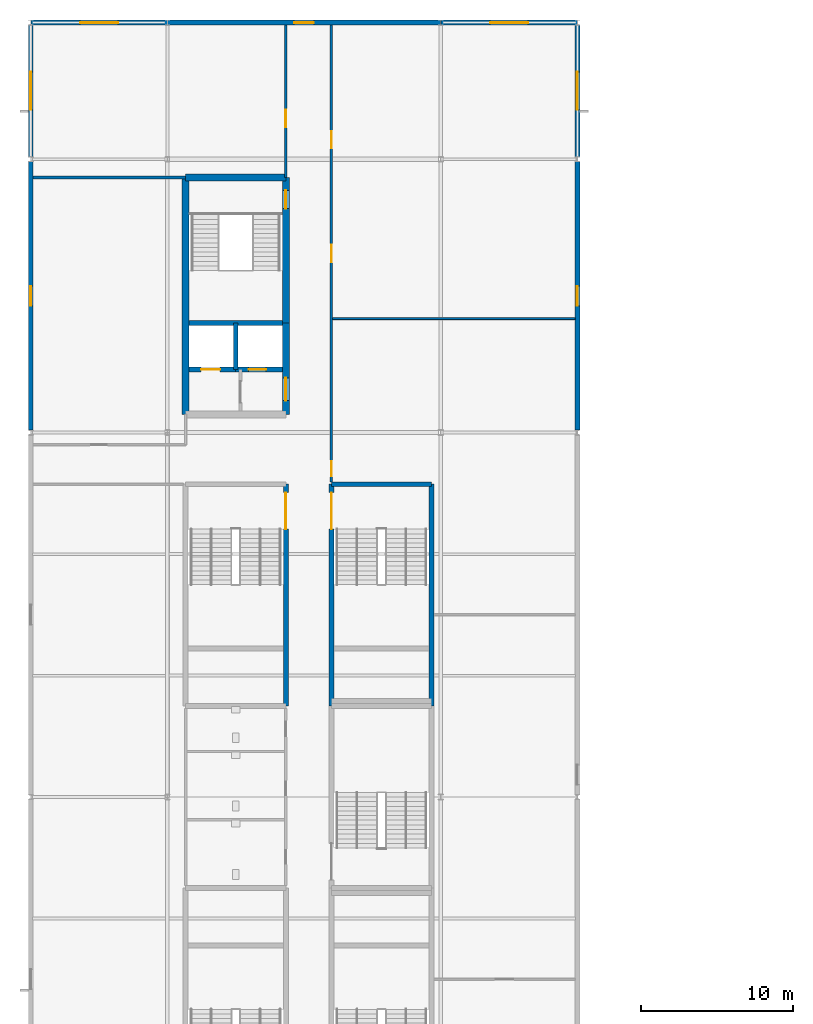
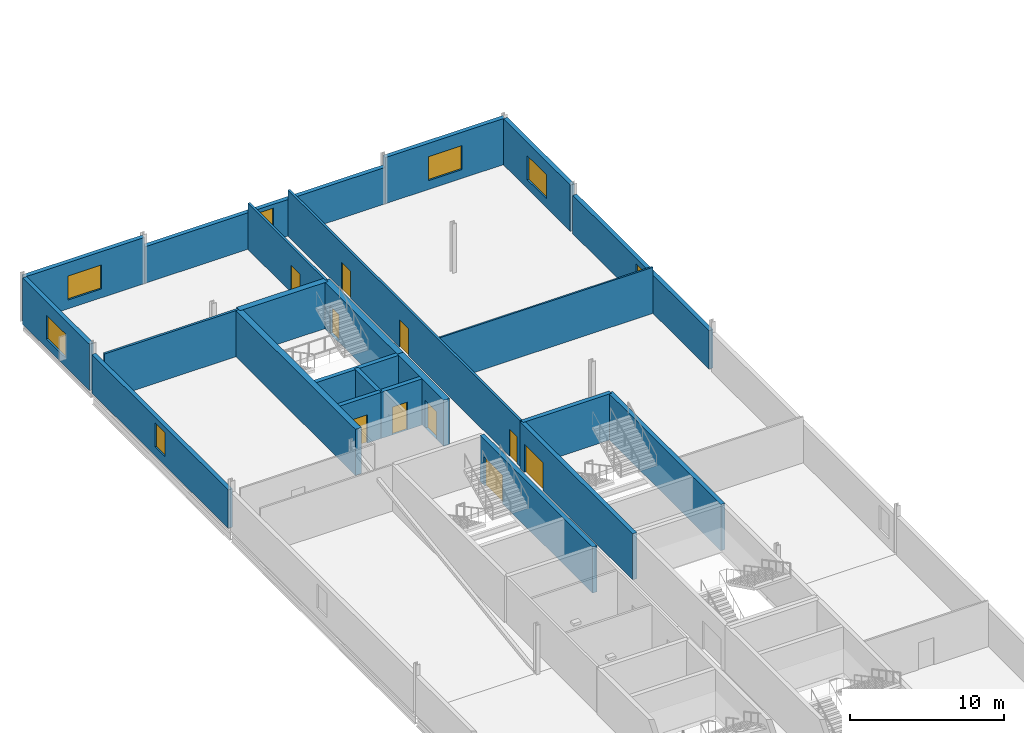
# One storey, part 13 of 27: 23 walls, 10 doors, 7 windows, 17 openings.
"""IFC4 building model written with IfcOpenShell, lengths in metres."""

from ifc_helpers import new_model, si_unit, direction, frame, frame_2d, origin, place, context, subcontext, project, spatial, rectangle, extrude, material, layer, layer_set, type_object, element, fill, save


model = new_model("IFC4")

# Units and contexts
model_context = context("Model", 3, precision=1e-05, world=origin(), true_north=direction((0.0, 1.0)))
body_context = subcontext(model_context, "Body", "Model", "MODEL_VIEW")
ifc_project = project(units=[si_unit("LENGTHUNIT", "METRE"), si_unit("AREAUNIT", "SQUARE_METRE"), si_unit("VOLUMEUNIT", "CUBIC_METRE"), si_unit("PLANEANGLEUNIT", "RADIAN"), si_unit("MASSUNIT", "GRAM", prefix="KILO")], contexts=[model_context])

# Site, building, storey
site_placement = place(None, origin())
site = spatial("IfcSite", under=ifc_project, at=site_placement, CompositionType="ELEMENT")
building_placement = place(site_placement, origin())
building = spatial("IfcBuilding", under=site, at=building_placement, Name="Kisiwana Market Hall", CompositionType="ELEMENT")
storey_placement = place(building_placement, frame((0.0, 0.0, 41.699951171875)))
storey = spatial("IfcBuildingStorey", under=building, at=storey_placement, Name="L09", CompositionType="ELEMENT", Elevation=41.699951171875)

# Walls
ifc_material_1 = material(Name="Concrete C40/50", Category="concrete")
ifc_layer_1 = layer(ifc_material_1, 0.320068359375, Name="Reinforced concrete shaft wall")
ifc_layer_set_1 = layer_set([ifc_layer_1], Name="WL-CORE-320")
wall_type_1 = type_object("IfcWallType", Name="WL-CORE-320", PredefinedType="SHEAR", material=ifc_layer_set_1)
wall_1_placement = place(storey_placement, frame((10.425048828125, 91.215087890625, 0.0), z_axis=(0.0, 0.0, 1.0), x_axis=(1.0, 0.0, 0.0)))
element("IfcWall", 1, at=wall_1_placement, inside=storey, type_object=wall_type_1, Name="Core W1 shaft back shear wall W-2437", PredefinedType="SHEAR", context=body_context, shape_type="SweptSolid", body=[
    extrude(rectangle(XDim=6.14990234375, YDim=0.320068359375, at=frame_2d((3.074951171875, 0.0))), origin(), (0.0, 0.0, 1.0), 3.655029296875),
])
wall_2_placement = place(storey_placement, frame((13.5, 88.155029296875, 0.0), z_axis=(0.0, 0.0, 1.0), x_axis=(0.0, 1.0, 0.0)))
element("IfcWall", 2, at=wall_2_placement, inside=storey, type_object=wall_type_1, Name="Core W1 inter-shaft shear wall W-2438", PredefinedType="SHEAR", context=body_context, shape_type="SweptSolid", body=[
    extrude(rectangle(XDim=3.06005859375, YDim=0.320068359375, at=frame_2d((1.530029296875, 0.0))), origin(), (0.0, 0.0, 1.0), 3.655029296875),
])

# Wall, opening, door
wall_3_placement = place(storey_placement, frame((10.425048828125, 88.155029296875, 0.0), z_axis=(0.0, 0.0, 1.0), x_axis=(1.0, 0.0, 0.0)))
wall_3 = element("IfcWall", 3, at=wall_3_placement, inside=storey, type_object=wall_type_1, Name="Core W1 west lift front wall W-2439", PredefinedType="SHEAR", context=body_context, shape_type="SweptSolid", body=[
    extrude(rectangle(XDim=3.074951171875, YDim=0.320068359375, at=frame_2d((1.53759765625, 0.0))), origin(), (0.0, 0.0, 1.0), 3.655029296875),
])
opening_1_placement = place(wall_3_placement, frame((0.800048828125, 0.0, 0.0)))
opening_1 = element("IfcOpeningElement", 4, at=opening_1_placement, cuts=wall_3, Name="Opening LD-L09-003", PredefinedType="OPENING", context=body_context, shape_type="SweptSolid", body=[
    extrude(rectangle(XDim=1.25, YDim=2.25, at=frame_2d((0.625, 1.125))), frame((0.0, 0.171875, 0.0), z_axis=(0.0, -1.0, 0.0), x_axis=(1.0, 0.0, 0.0)), (0.0, 0.0, 1.0), 0.343994140625),
])
ifc_material_2 = material(Name="Steel S275", Category="steel")
door_type_1 = type_object("IfcDoorType", Name="DR-LIFT-FFL-1250", OperationType="DOUBLE_DOOR_SLIDING", PredefinedType="DOOR", material=ifc_material_2)
door_1_placement = place(opening_1_placement, origin())
door_1 = element("IfcDoor", 5, at=door_1_placement, inside=storey, type_object=door_type_1, Name="Lift Landing Door FFL-02 (L09)", OperationType="DOUBLE_DOOR_SLIDING", OverallHeight=2.25, OverallWidth=1.25, PredefinedType="DOOR", context=body_context, shape_type="SweptSolid", body=[
    extrude(rectangle(XDim=1.25, YDim=2.25, at=frame_2d((0.625, 1.125))), frame((0.0, 0.02490234375, 0.0), z_axis=(0.0, -1.0, 0.0), x_axis=(1.0, 0.0, 0.0)), (0.0, 0.0, 1.0), 0.050048828125),
])
fill(opening_1, door_1)

wall_4_placement = place(storey_placement, frame((13.5, 88.155029296875, 0.0), z_axis=(0.0, 0.0, 1.0), x_axis=(1.0, 0.0, 0.0)))
wall_4 = element("IfcWall", 6, at=wall_4_placement, inside=storey, type_object=wall_type_1, Name="Core W1 east lift front wall W-2440", PredefinedType="SHEAR", context=body_context, shape_type="SweptSolid", body=[
    extrude(rectangle(XDim=3.074951171875, YDim=0.320068359375, at=frame_2d((1.53759765625, 0.0))), origin(), (0.0, 0.0, 1.0), 3.655029296875),
])
opening_2_placement = place(wall_4_placement, frame((0.85009765625, 0.0, 0.0)))
opening_2 = element("IfcOpeningElement", 7, at=opening_2_placement, cuts=wall_4, Name="Opening LD-L09-004", PredefinedType="OPENING", context=body_context, shape_type="SweptSolid", body=[
    extrude(rectangle(XDim=1.14990234375, YDim=2.199951171875, at=frame_2d((0.574951171875, 1.10009765625))), frame((0.0, 0.171875, 0.0), z_axis=(0.0, -1.0, 0.0), x_axis=(1.0, 0.0, 0.0)), (0.0, 0.0, 1.0), 0.343994140625),
])
ifc_material_3 = material(Name="Steel S275", Category="steel")
door_type_2 = type_object("IfcDoorType", Name="DR-LIFT-PAX-1150", OperationType="DOUBLE_DOOR_SLIDING", PredefinedType="DOOR", material=ifc_material_3)
door_2_placement = place(opening_2_placement, origin())
door_2 = element("IfcDoor", 8, at=door_2_placement, inside=storey, type_object=door_type_2, Name="Lift Landing Door LP-02 (L09)", OperationType="DOUBLE_DOOR_SLIDING", OverallHeight=2.199951171875, OverallWidth=1.14990234375, PredefinedType="DOOR", context=body_context, shape_type="SweptSolid", body=[
    extrude(rectangle(XDim=1.14990234375, YDim=2.199951171875, at=frame_2d((0.574951171875, 1.10009765625))), frame((0.0, 0.02490234375, 0.0), z_axis=(0.0, -1.0, 0.0), x_axis=(1.0, 0.0, 0.0)), (0.0, 0.0, 1.0), 0.050048828125),
])
fill(opening_2, door_2)

wall_5_placement = place(storey_placement, frame((16.800048828125, 66.0, 0.0), z_axis=(0.0, 0.0, 1.0), x_axis=(0.0, 1.0, 0.0)))
wall_5 = element("IfcWall", 9, at=wall_5_placement, inside=storey, type_object=wall_type_1, Name="Core W4 corridor shear wall W-2467", PredefinedType="SHEAR", context=body_context, shape_type="SweptSolid", body=[
    extrude(rectangle(XDim=14.60009765625, YDim=0.320068359375, at=frame_2d((7.300048828125, 0.0))), origin(), (0.0, 0.0, 1.0), 3.655029296875),
])
opening_3_placement = place(wall_5_placement, frame((11.64990234375, 0.0, 0.0)))
opening_3 = element("IfcOpeningElement", 10, at=opening_3_placement, cuts=wall_5, Name="Opening DR-L09-014", PredefinedType="OPENING", context=body_context, shape_type="SweptSolid", body=[
    extrude(rectangle(XDim=2.39990234375, YDim=2.25, at=frame_2d((1.199951171875, 1.125))), frame((0.0, 0.171875, 0.0), z_axis=(0.0, -1.0, 0.0), x_axis=(1.0, 0.0, 0.0)), (0.0, 0.0, 1.0), 0.343994140625),
])
ifc_material_4 = material(Name="Steel S275", Category="steel")
door_type_3 = type_object("IfcDoorType", Name="DR-STAIR-FD120-2400", OperationType="DOUBLE_DOOR_SINGLE_SWING", PredefinedType="DOOR", material=ifc_material_4)
door_3_placement = place(opening_3_placement, origin())
door_3 = element("IfcDoor", 11, at=door_3_placement, inside=storey, type_object=door_type_3, Name="Escape Stair W4 Fire Door (L09)", OperationType="DOUBLE_DOOR_SINGLE_SWING", OverallHeight=2.25, OverallWidth=2.39990234375, PredefinedType="DOOR", context=body_context, shape_type="SweptSolid", body=[
    extrude(rectangle(XDim=2.39990234375, YDim=2.25, at=frame_2d((1.199951171875, 1.125))), frame((0.0, 0.02490234375, 0.0), z_axis=(0.0, -1.0, 0.0), x_axis=(1.0, 0.0, 0.0)), (0.0, 0.0, 1.0), 0.050048828125),
])
fill(opening_3, door_3)

# Wall
wall_6_placement = place(storey_placement, frame((19.800048828125, 80.60009765625, 0.0), z_axis=(0.0, 0.0, 1.0), x_axis=(1.0, 0.0, 0.0)))
element("IfcWall", 12, at=wall_6_placement, inside=storey, type_object=wall_type_1, Name="Core W8 north shear wall W-2490", PredefinedType="SHEAR", context=body_context, shape_type="SweptSolid", body=[
    extrude(rectangle(XDim=6.599853515625, YDim=0.320068359375, at=frame_2d((3.2998046875, 0.0))), origin(), (0.0, 0.0, 1.0), 3.655029296875),
])

# Wall, opening, door
wall_7_placement = place(storey_placement, frame((19.800048828125, 66.0, 0.0), z_axis=(0.0, 0.0, 1.0), x_axis=(0.0, 1.0, 0.0)))
wall_7 = element("IfcWall", 13, at=wall_7_placement, inside=storey, type_object=wall_type_1, Name="Core W8 corridor shear wall W-2491", PredefinedType="SHEAR", context=body_context, shape_type="SweptSolid", body=[
    extrude(rectangle(XDim=14.60009765625, YDim=0.320068359375, at=frame_2d((7.300048828125, 0.0))), origin(), (0.0, 0.0, 1.0), 3.655029296875),
])
opening_4_placement = place(wall_7_placement, frame((11.64990234375, 0.0, 0.0)))
opening_4 = element("IfcOpeningElement", 14, at=opening_4_placement, cuts=wall_7, Name="Opening DR-L09-019", PredefinedType="OPENING", context=body_context, shape_type="SweptSolid", body=[
    extrude(rectangle(XDim=2.39990234375, YDim=2.25, at=frame_2d((1.199951171875, 1.125))), frame((0.0, 0.171875, 0.0), z_axis=(0.0, -1.0, 0.0), x_axis=(1.0, 0.0, 0.0)), (0.0, 0.0, 1.0), 0.343994140625),
])
door_4_placement = place(opening_4_placement, frame((2.39990234375, 0.0, 0.0), z_axis=(0.0, 0.0, 1.0), x_axis=(-1.0, 0.0, 0.0)))
door_4 = element("IfcDoor", 15, at=door_4_placement, inside=storey, type_object=door_type_3, Name="Escape Stair W8 Fire Door (L09)", OperationType="DOUBLE_DOOR_SINGLE_SWING", OverallHeight=2.25, OverallWidth=2.39990234375, PredefinedType="DOOR", context=body_context, shape_type="SweptSolid", body=[
    extrude(rectangle(XDim=2.39990234375, YDim=2.25, at=frame_2d((1.199951171875, 1.125))), frame((0.0, 0.02490234375, 0.0), z_axis=(0.0, -1.0, 0.0), x_axis=(1.0, 0.0, 0.0)), (0.0, 0.0, 1.0), 0.050048828125),
])
fill(opening_4, door_4)

# Walls
wall_8_placement = place(storey_placement, frame((26.39990234375, 66.0, 0.0), z_axis=(0.0, 0.0, 1.0), x_axis=(0.0, 1.0, 0.0)))
element("IfcWall", 16, at=wall_8_placement, inside=storey, type_object=wall_type_1, Name="Core W8 outer shear wall W-2492", PredefinedType="SHEAR", context=body_context, shape_type="SweptSolid", body=[
    extrude(rectangle(XDim=14.60009765625, YDim=0.320068359375, at=frame_2d((7.300048828125, 0.0))), origin(), (0.0, 0.0, 1.0), 3.655029296875),
])
ifc_material_5 = material(Name="Concrete C40/50", Category="concrete")
ifc_layer_2 = layer(ifc_material_5, 0.449951171875, Name="Reinforced concrete core wall")
ifc_layer_set_2 = layer_set([ifc_layer_2], Name="WL-CORE-450")
wall_type_2 = type_object("IfcWallType", Name="WL-CORE-450", PredefinedType="SHEAR", material=ifc_layer_set_2)
wall_9_placement = place(storey_placement, frame((10.199951171875, 100.800048828125, 0.0), z_axis=(0.0, 0.0, 1.0), x_axis=(1.0, 0.0, 0.0)))
element("IfcWall", 17, at=wall_9_placement, inside=storey, type_object=wall_type_2, Name="Core W1 north shear wall W-2433", PredefinedType="SHEAR", context=body_context, shape_type="SweptSolid", body=[
    extrude(rectangle(XDim=6.60009765625, YDim=0.449951171875, at=frame_2d((3.300048828125, 0.0))), origin(), (0.0, 0.0, 1.0), 3.655029296875),
])
wall_10_placement = place(storey_placement, frame((10.199951171875, 85.199951171875, 0.0), z_axis=(0.0, 0.0, 1.0), x_axis=(0.0, 1.0, 0.0)))
element("IfcWall", 18, at=wall_10_placement, inside=storey, type_object=wall_type_2, Name="Core W1 outer shear wall W-2434", PredefinedType="SHEAR", context=body_context, shape_type="SweptSolid", body=[
    extrude(rectangle(XDim=15.60009765625, YDim=0.449951171875, at=frame_2d((7.800048828125, 0.0))), origin(), (0.0, 0.0, 1.0), 3.655029296875),
])

# Wall, opening, door
wall_11_placement = place(storey_placement, frame((16.800048828125, 85.199951171875, 0.0), z_axis=(0.0, 0.0, 1.0), x_axis=(0.0, 1.0, 0.0)))
wall_11 = element("IfcWall", 19, at=wall_11_placement, inside=storey, type_object=wall_type_2, Name="Core W1 lobby corridor shear wall W-2435", PredefinedType="SHEAR", context=body_context, shape_type="SweptSolid", body=[
    extrude(rectangle(XDim=6.01513671875, YDim=0.449951171875, at=frame_2d((3.007568359375, 0.0))), origin(), (0.0, 0.0, 1.0), 3.655029296875),
])
opening_5_placement = place(wall_11_placement, frame((0.89990234375, 0.0, 0.0)))
opening_5 = element("IfcOpeningElement", 20, at=opening_5_placement, cuts=wall_11, Name="Opening DR-L09-004", PredefinedType="OPENING", context=body_context, shape_type="SweptSolid", body=[
    extrude(rectangle(XDim=1.5, YDim=2.199951171875, at=frame_2d((0.75, 1.10009765625))), frame((0.0, 0.23681640625, 0.0), z_axis=(0.0, -1.0, 0.0), x_axis=(1.0, 0.0, 0.0)), (0.0, 0.0, 1.0), 0.473876953125),
])
ifc_material_6 = material(Name="Steel S275", Category="steel")
door_type_4 = type_object("IfcDoorType", Name="DR-CORR-FD60-1500", OperationType="DOUBLE_DOOR_SINGLE_SWING", PredefinedType="DOOR", material=ifc_material_6)
door_5_placement = place(opening_5_placement, frame((1.5, 0.0, 0.0), z_axis=(0.0, 0.0, 1.0), x_axis=(-1.0, 0.0, 0.0)))
door_5 = element("IfcDoor", 21, at=door_5_placement, inside=storey, type_object=door_type_4, Name="Passenger Lift Lobby W1 Smoke Door (L09)", OperationType="DOUBLE_DOOR_SINGLE_SWING", OverallHeight=2.199951171875, OverallWidth=1.5, PredefinedType="DOOR", context=body_context, shape_type="SweptSolid", body=[
    extrude(rectangle(XDim=1.5, YDim=2.199951171875, at=frame_2d((0.75, 1.10009765625))), frame((0.0, 0.02490234375, 0.0), z_axis=(0.0, -1.0, 0.0), x_axis=(1.0, 0.0, 0.0)), (0.0, 0.0, 1.0), 0.050048828125),
])
fill(opening_5, door_5)

wall_12_placement = place(storey_placement, frame((16.800048828125, 91.215087890625, 0.0), z_axis=(0.0, 0.0, 1.0), x_axis=(0.0, 1.0, 0.0)))
wall_12 = element("IfcWall", 22, at=wall_12_placement, inside=storey, type_object=wall_type_2, Name="Core W1 stair corridor shear wall W-2436", PredefinedType="SHEAR", context=body_context, shape_type="SweptSolid", body=[
    extrude(rectangle(XDim=9.5849609375, YDim=0.449951171875, at=frame_2d((4.79248046875, 0.0))), origin(), (0.0, 0.0, 1.0), 3.655029296875),
])
opening_6_placement = place(wall_12_placement, frame((7.534912109375, 0.0, 0.0)))
opening_6 = element("IfcOpeningElement", 23, at=opening_6_placement, cuts=wall_12, Name="Opening DR-L09-005", PredefinedType="OPENING", context=body_context, shape_type="SweptSolid", body=[
    extrude(rectangle(XDim=1.199951171875, YDim=2.199951171875, at=frame_2d((0.60009765625, 1.10009765625))), frame((0.0, 0.23681640625, 0.0), z_axis=(0.0, -1.0, 0.0), x_axis=(1.0, 0.0, 0.0)), (0.0, 0.0, 1.0), 0.473876953125),
])
ifc_material_7 = material(Name="Steel S275", Category="steel")
door_type_5 = type_object("IfcDoorType", Name="DR-STAIR-FD120-1200", OperationType="NOTDEFINED", PredefinedType="DOOR", material=ifc_material_7)
door_6_placement = place(opening_6_placement, origin())
door_6 = element("IfcDoor", 24, at=door_6_placement, inside=storey, type_object=door_type_5, Name="Escape Stair W1 Fire Door (L09)", OperationType="SINGLE_SWING_RIGHT", OverallHeight=2.199951171875, OverallWidth=1.199951171875, PredefinedType="DOOR", context=body_context, shape_type="SweptSolid", body=[
    extrude(rectangle(XDim=1.199951171875, YDim=2.199951171875, at=frame_2d((0.60009765625, 1.10009765625))), frame((0.0, 0.02490234375, 0.0), z_axis=(0.0, -1.0, 0.0), x_axis=(1.0, 0.0, 0.0)), (0.0, 0.0, 1.0), 0.050048828125),
])
fill(opening_6, door_6)

# Wall
ifc_material_8 = material(Name="Masonry blockwork", Category="masonry")
ifc_layer_3 = layer(ifc_material_8, 0.169921875, Name="Protected corridor partition")
ifc_layer_set_3 = layer_set([ifc_layer_3], Name="WL-CORR-170")
wall_type_3 = type_object("IfcWallType", Name="WL-CORR-170", PredefinedType="PARTITIONING", material=ifc_layer_set_3)
wall_13_placement = place(storey_placement, frame((0.157470703125, 100.800048828125, 0.0), z_axis=(0.0, 0.0, 1.0), x_axis=(1.0, 0.0, 0.0)))
element("IfcWall", 25, at=wall_13_placement, inside=storey, type_object=wall_type_3, Name="Interior partition W-2554", PredefinedType="PARTITIONING", context=body_context, shape_type="SweptSolid", body=[
    extrude(rectangle(XDim=10.04248046875, YDim=0.169921875, at=frame_2d((5.021240234375, 0.0))), origin(), (0.0, 0.0, 1.0), 3.655029296875),
])

# Wall, opening, door
wall_14_placement = place(storey_placement, frame((16.800048828125, 100.800048828125, 0.0), z_axis=(0.0, 0.0, 1.0), x_axis=(0.0, 1.0, 0.0)))
wall_14 = element("IfcWall", 26, at=wall_14_placement, inside=storey, type_object=wall_type_3, Name="Interior partition W-2560", PredefinedType="PARTITIONING", context=body_context, shape_type="SweptSolid", body=[
    extrude(rectangle(XDim=10.04248046875, YDim=0.169921875, at=frame_2d((5.021240234375, 0.0))), origin(), (0.0, 0.0, 1.0), 3.655029296875),
])
opening_7_placement = place(wall_14_placement, frame((3.300048828125, 0.0, 0.0)))
opening_7 = element("IfcOpeningElement", 27, at=opening_7_placement, cuts=wall_14, Name="Opening DR-L09-030", PredefinedType="OPENING", context=body_context, shape_type="SweptSolid", body=[
    extrude(rectangle(XDim=1.14990234375, YDim=2.14990234375, at=frame_2d((0.574951171875, 1.074951171875))), frame((0.0, 0.096923828125, 0.0), z_axis=(0.0, -1.0, 0.0), x_axis=(1.0, 0.0, 0.0)), (0.0, 0.0, 1.0), 0.19384765625),
])
ifc_material_9 = material(Name="Aluminium alloy 6063-T6", Category="aluminium")
door_type_6 = type_object("IfcDoorType", Name="DR-MEET-1150", OperationType="NOTDEFINED", PredefinedType="DOOR", material=ifc_material_9)
door_7_placement = place(opening_7_placement, origin())
door_7 = element("IfcDoor", 28, at=door_7_placement, inside=storey, type_object=door_type_6, Name="L09 W Corner Office Suite North Door", OperationType="SINGLE_SWING_LEFT", OverallHeight=2.14990234375, OverallWidth=1.14990234375, PredefinedType="DOOR", context=body_context, shape_type="SweptSolid", body=[
    extrude(rectangle(XDim=1.14990234375, YDim=2.14990234375, at=frame_2d((0.574951171875, 1.074951171875))), frame((0.0, 0.02490234375, 0.0), z_axis=(0.0, -1.0, 0.0), x_axis=(1.0, 0.0, 0.0)), (0.0, 0.0, 1.0), 0.050048828125),
])
fill(opening_7, door_7)

# Wall, openings, doors
wall_15_placement = place(storey_placement, frame((19.800048828125, 80.760009765625, 0.0), z_axis=(0.0, 0.0, 1.0), x_axis=(0.0, 1.0, 0.0)))
wall_15 = element("IfcWall", 29, at=wall_15_placement, inside=storey, type_object=wall_type_3, Name="Interior partition W-2566", PredefinedType="PARTITIONING", context=body_context, shape_type="SweptSolid", body=[
    extrude(rectangle(XDim=30.08251953125, YDim=0.169921875, at=frame_2d((15.041259765625, 0.0))), origin(), (0.0, 0.0, 1.0), 3.655029296875),
])
opening_8_placement = place(wall_15_placement, frame((0.35107421875, 0.0, 0.0)))
opening_8 = element("IfcOpeningElement", 30, at=opening_8_placement, cuts=wall_15, Name="Opening DR-L09-035", PredefinedType="OPENING", context=body_context, shape_type="SweptSolid", body=[
    extrude(rectangle(XDim=1.0, YDim=2.14990234375, at=frame_2d((0.5, 1.074951171875))), frame((0.0, 0.096923828125, 0.0), z_axis=(0.0, -1.0, 0.0), x_axis=(1.0, 0.0, 0.0)), (0.0, 0.0, 1.0), 0.19384765625),
])
opening_9_placement = place(wall_15_placement, frame((21.949951171875, 0.0, 0.0)))
opening_9 = element("IfcOpeningElement", 31, at=opening_9_placement, cuts=wall_15, Name="Opening DR-L09-036", PredefinedType="OPENING", context=body_context, shape_type="SweptSolid", body=[
    extrude(rectangle(XDim=1.14990234375, YDim=2.14990234375, at=frame_2d((0.574951171875, 1.074951171875))), frame((0.0, 0.096923828125, 0.0), z_axis=(0.0, -1.0, 0.0), x_axis=(1.0, 0.0, 0.0)), (0.0, 0.0, 1.0), 0.19384765625),
])
opening_10_placement = place(wall_15_placement, frame((14.466064453125, 0.0, 0.0)))
opening_10 = element("IfcOpeningElement", 32, at=opening_10_placement, cuts=wall_15, Name="Opening DR-L09-037", PredefinedType="OPENING", context=body_context, shape_type="SweptSolid", body=[
    extrude(rectangle(XDim=1.14990234375, YDim=2.14990234375, at=frame_2d((0.574951171875, 1.074951171875))), frame((0.0, 0.096923828125, 0.0), z_axis=(0.0, -1.0, 0.0), x_axis=(1.0, 0.0, 0.0)), (0.0, 0.0, 1.0), 0.19384765625),
])
door_8_placement = place(opening_9_placement, frame((1.14990234375, 0.0, 0.0), z_axis=(0.0, 0.0, 1.0), x_axis=(-1.0, 0.0, 0.0)))
door_8 = element("IfcDoor", 33, at=door_8_placement, inside=storey, type_object=door_type_6, Name="L09 W Client Briefing Room M5 Door", OperationType="SINGLE_SWING_LEFT", OverallHeight=2.14990234375, OverallWidth=1.14990234375, PredefinedType="DOOR", context=body_context, shape_type="SweptSolid", body=[
    extrude(rectangle(XDim=1.14990234375, YDim=2.14990234375, at=frame_2d((0.574951171875, 1.074951171875))), frame((0.0, 0.02490234375, 0.0), z_axis=(0.0, -1.0, 0.0), x_axis=(1.0, 0.0, 0.0)), (0.0, 0.0, 1.0), 0.050048828125),
])
fill(opening_9, door_8)
door_9_placement = place(opening_10_placement, frame((1.14990234375, 0.0, 0.0), z_axis=(0.0, 0.0, 1.0), x_axis=(-1.0, 0.0, 0.0)))
door_9 = element("IfcDoor", 34, at=door_9_placement, inside=storey, type_object=door_type_6, Name="L09 W Engineering Design Studio M3 Door", OperationType="SINGLE_SWING_RIGHT", OverallHeight=2.14990234375, OverallWidth=1.14990234375, PredefinedType="DOOR", context=body_context, shape_type="SweptSolid", body=[
    extrude(rectangle(XDim=1.14990234375, YDim=2.14990234375, at=frame_2d((0.574951171875, 1.074951171875))), frame((0.0, 0.02490234375, 0.0), z_axis=(0.0, -1.0, 0.0), x_axis=(1.0, 0.0, 0.0)), (0.0, 0.0, 1.0), 0.050048828125),
])
fill(opening_10, door_9)
ifc_material_10 = material(Name="Aluminium alloy 6063-T6", Category="aluminium")
door_type_7 = type_object("IfcDoorType", Name="DR-OFF-1000", OperationType="NOTDEFINED", PredefinedType="DOOR", material=ifc_material_10)
door_10_placement = place(opening_8_placement, frame((1.0, 0.0, 0.0), z_axis=(0.0, 0.0, 1.0), x_axis=(-1.0, 0.0, 0.0)))
door_10 = element("IfcDoor", 35, at=door_10_placement, inside=storey, type_object=door_type_7, Name="L09 W Mid-Rise Office Suite M4 Door", OperationType="SINGLE_SWING_RIGHT", OverallHeight=2.14990234375, OverallWidth=1.0, PredefinedType="DOOR", context=body_context, shape_type="SweptSolid", body=[
    extrude(rectangle(XDim=1.0, YDim=2.14990234375, at=frame_2d((0.5, 1.074951171875))), frame((0.0, 0.02490234375, 0.0), z_axis=(0.0, -1.0, 0.0), x_axis=(1.0, 0.0, 0.0)), (0.0, 0.0, 1.0), 0.050048828125),
])
fill(opening_8, door_10)

# Wall, opening, window
ifc_material_11 = material(Name="Concrete C40/50 precast", Category="concrete")
ifc_layer_4 = layer(ifc_material_11, 0.31494140625)
ifc_layer_set_4 = layer_set([ifc_layer_4], Name="WL-EXT-315")
wall_type_4 = type_object("IfcWallType", Name="WL-EXT-315", PredefinedType="STANDARD", material=ifc_layer_set_4)
wall_16_placement = place(storey_placement, frame((0.010009765625, 111.0, 0.0), z_axis=(0.0, 0.0, 1.0), x_axis=(1.0, 0.0, 0.0)))
wall_16 = element("IfcWall", 36, at=wall_16_placement, inside=storey, type_object=wall_type_4, Name="Exterior wall W-2513", PredefinedType="STANDARD", context=body_context, shape_type="SweptSolid", body=[
    extrude(rectangle(XDim=8.97998046875, YDim=0.31494140625, at=frame_2d((4.489990234375, 0.0))), origin(), (0.0, 0.0, 1.0), 3.655029296875),
])
opening_11_placement = place(wall_16_placement, frame((3.239990234375, 0.0, 0.699951171875)))
opening_11 = element("IfcOpeningElement", 37, at=opening_11_placement, cuts=wall_16, Name="Opening WN-17", PredefinedType="OPENING", context=body_context, shape_type="SweptSolid", body=[
    extrude(rectangle(XDim=2.5, YDim=1.89990234375, at=frame_2d((1.25, 0.949951171875))), frame((0.0, 0.16943359375, 0.0), z_axis=(0.0, -1.0, 0.0), x_axis=(1.0, 0.0, 0.0)), (0.0, 0.0, 1.0), 0.3388671875),
])
ifc_material_12 = material(Name="Double-glazed solar-control low-E IGU", Category="glass")
window_type_1 = type_object("IfcWindowType", Name="WN-OFFB-2500x1900", PartitioningType="SINGLE_PANEL", PredefinedType="WINDOW", material=ifc_material_12)
window_1_placement = place(opening_11_placement, origin())
window_1 = element("IfcWindow", 38, at=window_1_placement, inside=storey, type_object=window_type_1, Name="Exterior window WN-282", OverallHeight=1.89990234375, OverallWidth=2.5, PartitioningType="SINGLE_PANEL", PredefinedType="WINDOW", context=body_context, shape_type="SweptSolid", body=[
    extrude(rectangle(XDim=2.5, YDim=1.89990234375, at=frame_2d((1.25, 0.949951171875))), frame((0.0, 0.030029296875, 0.0), z_axis=(0.0, -1.0, 0.0), x_axis=(1.0, 0.0, 0.0)), (0.0, 0.0, 1.0), 0.06005859375),
])
fill(opening_11, window_1)

wall_17_placement = place(storey_placement, frame((9.010009765625, 111.0, 0.0), z_axis=(0.0, 0.0, 1.0), x_axis=(1.0, 0.0, 0.0)))
wall_17 = element("IfcWall", 39, at=wall_17_placement, inside=storey, type_object=wall_type_4, Name="Exterior wall W-2514", PredefinedType="STANDARD", context=body_context, shape_type="SweptSolid", body=[
    extrude(rectangle(XDim=17.97998046875, YDim=0.31494140625, at=frame_2d((8.989990234375, 0.0))), origin(), (0.0, 0.0, 1.0), 2.892822265625),
])
opening_12_placement = place(wall_17_placement, frame((8.340087890625, 0.0, 0.699951171875)))
opening_12 = element("IfcOpeningElement", 40, at=opening_12_placement, cuts=wall_17, Name="Opening WN-08", PredefinedType="OPENING", context=body_context, shape_type="SweptSolid", body=[
    extrude(rectangle(XDim=1.300048828125, YDim=1.89990234375, at=frame_2d((0.64990234375, 0.949951171875))), frame((0.0, 0.16943359375, 0.0), z_axis=(0.0, -1.0, 0.0), x_axis=(1.0, 0.0, 0.0)), (0.0, 0.0, 1.0), 0.3388671875),
])
ifc_material_13 = material(Name="Double-glazed solar-control low-E IGU", Category="glass")
window_type_2 = type_object("IfcWindowType", Name="WN-OFFB-1300x1900", PartitioningType="SINGLE_PANEL", PredefinedType="WINDOW", material=ifc_material_13)
window_2_placement = place(opening_12_placement, origin())
window_2 = element("IfcWindow", 41, at=window_2_placement, inside=storey, type_object=window_type_2, Name="Exterior window WN-260", OverallHeight=1.89990234375, OverallWidth=1.300048828125, PartitioningType="SINGLE_PANEL", PredefinedType="WINDOW", context=body_context, shape_type="SweptSolid", body=[
    extrude(rectangle(XDim=1.300048828125, YDim=1.89990234375, at=frame_2d((0.64990234375, 0.949951171875))), frame((0.0, 0.030029296875, 0.0), z_axis=(0.0, -1.0, 0.0), x_axis=(1.0, 0.0, 0.0)), (0.0, 0.0, 1.0), 0.06005859375),
])
fill(opening_12, window_2)

wall_18_placement = place(storey_placement, frame((27.010009765625, 111.0, 0.0), z_axis=(0.0, 0.0, 1.0), x_axis=(1.0, 0.0, 0.0)))
wall_18 = element("IfcWall", 42, at=wall_18_placement, inside=storey, type_object=wall_type_4, Name="Exterior wall W-2515", PredefinedType="STANDARD", context=body_context, shape_type="SweptSolid", body=[
    extrude(rectangle(XDim=8.97998046875, YDim=0.31494140625, at=frame_2d((4.489990234375, 0.0))), origin(), (0.0, 0.0, 1.0), 3.655029296875),
])
opening_13_placement = place(wall_18_placement, frame((3.239990234375, 0.0, 0.699951171875)))
opening_13 = element("IfcOpeningElement", 43, at=opening_13_placement, cuts=wall_18, Name="Opening WN-17", PredefinedType="OPENING", context=body_context, shape_type="SweptSolid", body=[
    extrude(rectangle(XDim=2.5, YDim=1.89990234375, at=frame_2d((1.25, 0.949951171875))), frame((0.0, 0.16943359375, 0.0), z_axis=(0.0, -1.0, 0.0), x_axis=(1.0, 0.0, 0.0)), (0.0, 0.0, 1.0), 0.3388671875),
])
window_3_placement = place(opening_13_placement, origin())
window_3 = element("IfcWindow", 44, at=window_3_placement, inside=storey, type_object=window_type_1, Name="Exterior window WN-283", OverallHeight=1.89990234375, OverallWidth=2.5, PartitioningType="SINGLE_PANEL", PredefinedType="WINDOW", context=body_context, shape_type="SweptSolid", body=[
    extrude(rectangle(XDim=2.5, YDim=1.89990234375, at=frame_2d((1.25, 0.949951171875))), frame((0.0, 0.030029296875, 0.0), z_axis=(0.0, -1.0, 0.0), x_axis=(1.0, 0.0, 0.0)), (0.0, 0.0, 1.0), 0.06005859375),
])
fill(opening_13, window_3)

wall_19_placement = place(storey_placement, frame((0.0, 84.159423828125, 0.0), z_axis=(0.0, 0.0, 1.0), x_axis=(0.0, 1.0, 0.0)))
wall_19 = element("IfcWall", 45, at=wall_19_placement, inside=storey, type_object=wall_type_4, Name="Exterior wall W-2523", PredefinedType="STANDARD", context=body_context, shape_type="SweptSolid", body=[
    extrude(rectangle(XDim=17.68115234375, YDim=0.31494140625, at=frame_2d((8.840576171875, 0.0))), origin(), (0.0, 0.0, 1.0), 3.04296875),
])
opening_14_placement = place(wall_19_placement, frame((8.190673828125, 0.0, 0.699951171875)))
opening_14 = element("IfcOpeningElement", 46, at=opening_14_placement, cuts=wall_19, Name="Opening WN-08", PredefinedType="OPENING", context=body_context, shape_type="SweptSolid", body=[
    extrude(rectangle(XDim=1.300048828125, YDim=1.89990234375, at=frame_2d((0.64990234375, 0.949951171875))), frame((0.0, 0.16943359375, 0.0), z_axis=(0.0, -1.0, 0.0), x_axis=(1.0, 0.0, 0.0)), (0.0, 0.0, 1.0), 0.3388671875),
])
window_4_placement = place(opening_14_placement, origin())
window_4 = element("IfcWindow", 47, at=window_4_placement, inside=storey, type_object=window_type_2, Name="Exterior window WN-265", OverallHeight=1.89990234375, OverallWidth=1.300048828125, PartitioningType="SINGLE_PANEL", PredefinedType="WINDOW", context=body_context, shape_type="SweptSolid", body=[
    extrude(rectangle(XDim=1.300048828125, YDim=1.89990234375, at=frame_2d((0.64990234375, 0.949951171875))), frame((0.0, 0.030029296875, 0.0), z_axis=(0.0, -1.0, 0.0), x_axis=(1.0, 0.0, 0.0)), (0.0, 0.0, 1.0), 0.06005859375),
])
fill(opening_14, window_4)

wall_20_placement = place(storey_placement, frame((0.0, 102.159423828125, 0.0), z_axis=(0.0, 0.0, 1.0), x_axis=(0.0, 1.0, 0.0)))
wall_20 = element("IfcWall", 48, at=wall_20_placement, inside=storey, type_object=wall_type_4, Name="Exterior wall W-2524", PredefinedType="STANDARD", context=body_context, shape_type="SweptSolid", body=[
    extrude(rectangle(XDim=8.68115234375, YDim=0.31494140625, at=frame_2d((4.340576171875, 0.0))), origin(), (0.0, 0.0, 1.0), 3.655029296875),
])
opening_15_placement = place(wall_20_placement, frame((3.090576171875, 0.0, 0.699951171875)))
opening_15 = element("IfcOpeningElement", 49, at=opening_15_placement, cuts=wall_20, Name="Opening WN-17", PredefinedType="OPENING", context=body_context, shape_type="SweptSolid", body=[
    extrude(rectangle(XDim=2.5, YDim=1.89990234375, at=frame_2d((1.25, 0.949951171875))), frame((0.0, 0.16943359375, 0.0), z_axis=(0.0, -1.0, 0.0), x_axis=(1.0, 0.0, 0.0)), (0.0, 0.0, 1.0), 0.3388671875),
])
window_5_placement = place(opening_15_placement, origin())
window_5 = element("IfcWindow", 50, at=window_5_placement, inside=storey, type_object=window_type_1, Name="Exterior window WN-287", OverallHeight=1.89990234375, OverallWidth=2.5, PartitioningType="SINGLE_PANEL", PredefinedType="WINDOW", context=body_context, shape_type="SweptSolid", body=[
    extrude(rectangle(XDim=2.5, YDim=1.89990234375, at=frame_2d((1.25, 0.949951171875))), frame((0.0, 0.030029296875, 0.0), z_axis=(0.0, -1.0, 0.0), x_axis=(1.0, 0.0, 0.0)), (0.0, 0.0, 1.0), 0.06005859375),
])
fill(opening_15, window_5)

wall_21_placement = place(storey_placement, frame((36.0, 84.159423828125, 0.0), z_axis=(0.0, 0.0, 1.0), x_axis=(0.0, 1.0, 0.0)))
wall_21 = element("IfcWall", 51, at=wall_21_placement, inside=storey, type_object=wall_type_4, Name="Exterior wall W-2529", PredefinedType="STANDARD", context=body_context, shape_type="SweptSolid", body=[
    extrude(rectangle(XDim=17.68115234375, YDim=0.31494140625, at=frame_2d((8.840576171875, 0.0))), origin(), (0.0, 0.0, 1.0), 3.04296875),
])
opening_16_placement = place(wall_21_placement, frame((8.190673828125, 0.0, 0.699951171875)))
opening_16 = element("IfcOpeningElement", 52, at=opening_16_placement, cuts=wall_21, Name="Opening WN-08", PredefinedType="OPENING", context=body_context, shape_type="SweptSolid", body=[
    extrude(rectangle(XDim=1.300048828125, YDim=1.89990234375, at=frame_2d((0.64990234375, 0.949951171875))), frame((0.0, 0.16943359375, 0.0), z_axis=(0.0, -1.0, 0.0), x_axis=(1.0, 0.0, 0.0)), (0.0, 0.0, 1.0), 0.3388671875),
])
window_6_placement = place(opening_16_placement, origin())
window_6 = element("IfcWindow", 53, at=window_6_placement, inside=storey, type_object=window_type_2, Name="Exterior window WN-269", OverallHeight=1.89990234375, OverallWidth=1.300048828125, PartitioningType="SINGLE_PANEL", PredefinedType="WINDOW", context=body_context, shape_type="SweptSolid", body=[
    extrude(rectangle(XDim=1.300048828125, YDim=1.89990234375, at=frame_2d((0.64990234375, 0.949951171875))), frame((0.0, 0.030029296875, 0.0), z_axis=(0.0, -1.0, 0.0), x_axis=(1.0, 0.0, 0.0)), (0.0, 0.0, 1.0), 0.06005859375),
])
fill(opening_16, window_6)

wall_22_placement = place(storey_placement, frame((36.0, 102.159423828125, 0.0), z_axis=(0.0, 0.0, 1.0), x_axis=(0.0, 1.0, 0.0)))
wall_22 = element("IfcWall", 54, at=wall_22_placement, inside=storey, type_object=wall_type_4, Name="Exterior wall W-2530", PredefinedType="STANDARD", context=body_context, shape_type="SweptSolid", body=[
    extrude(rectangle(XDim=8.68115234375, YDim=0.31494140625, at=frame_2d((4.340576171875, 0.0))), origin(), (0.0, 0.0, 1.0), 3.655029296875),
])
opening_17_placement = place(wall_22_placement, frame((3.090576171875, 0.0, 0.699951171875)))
opening_17 = element("IfcOpeningElement", 55, at=opening_17_placement, cuts=wall_22, Name="Opening WN-17", PredefinedType="OPENING", context=body_context, shape_type="SweptSolid", body=[
    extrude(rectangle(XDim=2.5, YDim=1.89990234375, at=frame_2d((1.25, 0.949951171875))), frame((0.0, 0.16943359375, 0.0), z_axis=(0.0, -1.0, 0.0), x_axis=(1.0, 0.0, 0.0)), (0.0, 0.0, 1.0), 0.3388671875),
])
window_7_placement = place(opening_17_placement, origin())
window_7 = element("IfcWindow", 56, at=window_7_placement, inside=storey, type_object=window_type_1, Name="Exterior window WN-289", OverallHeight=1.89990234375, OverallWidth=2.5, PartitioningType="SINGLE_PANEL", PredefinedType="WINDOW", context=body_context, shape_type="SweptSolid", body=[
    extrude(rectangle(XDim=2.5, YDim=1.89990234375, at=frame_2d((1.25, 0.949951171875))), frame((0.0, 0.030029296875, 0.0), z_axis=(0.0, -1.0, 0.0), x_axis=(1.0, 0.0, 0.0)), (0.0, 0.0, 1.0), 0.06005859375),
])
fill(opening_17, window_7)

# Wall
ifc_material_14 = material(Name="Gypsum plasterboard")
ifc_layer_5 = layer(ifc_material_14, 0.125, Name="Double gypsum board + acoustic stud")
ifc_layer_set_5 = layer_set([ifc_layer_5], Name="WL-OFF-125")
wall_type_5 = type_object("IfcWallType", Name="WL-OFF-125", PredefinedType="PARTITIONING", material=ifc_layer_set_5)
wall_23_placement = place(storey_placement, frame((19.885009765625, 91.5, 0.0), z_axis=(0.0, 0.0, 1.0), x_axis=(1.0, 0.0, 0.0)))
element("IfcWall", 57, at=wall_23_placement, inside=storey, type_object=wall_type_5, Name="Interior partition W-2564", PredefinedType="PARTITIONING", context=body_context, shape_type="SweptSolid", body=[
    extrude(rectangle(XDim=15.95751953125, YDim=0.125, at=frame_2d((7.978759765625, 0.0))), origin(), (0.0, 0.0, 1.0), 3.655029296875),
])

save(model, "model.ifc")
